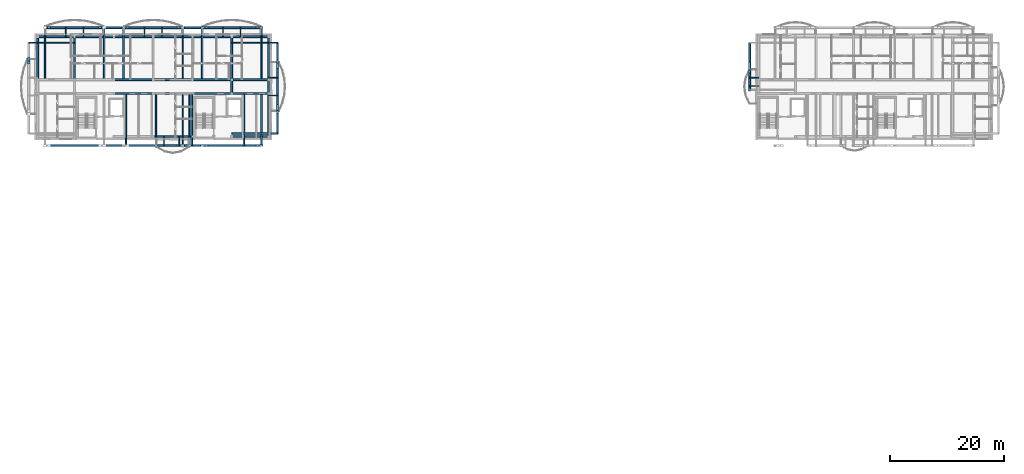
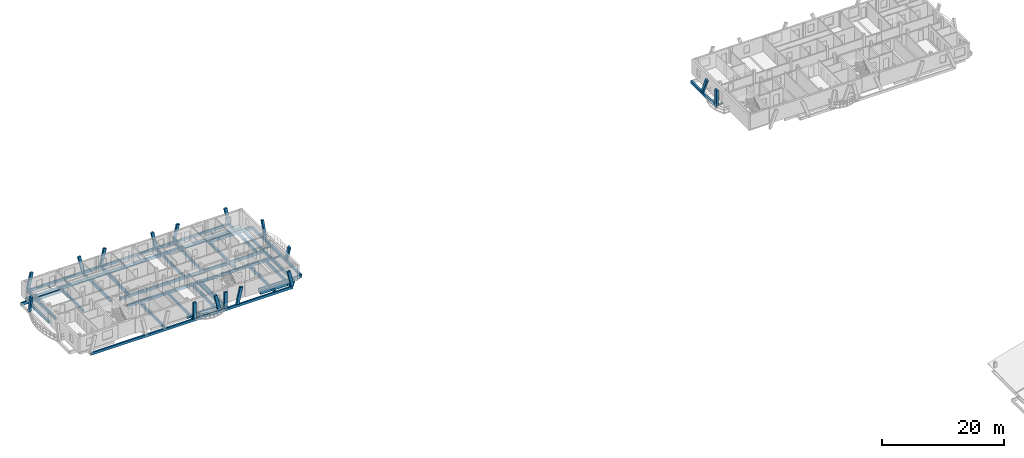
# One storey, part 5 of 33: 55 beams, 16 members.
"""IFC4 building model written with IfcOpenShell, lengths in metres."""

from ifc_helpers import new_model, si_unit, direction, frame, origin, origin_2d, place, context, subcontext, project, spatial, rectangle, i_section, extrude, material, material_profile, profile_set, type_object, element, save


model = new_model("IFC4")

# Units and contexts
model_context = context("Model", 3, precision=1e-05, world=origin(), true_north=direction((0.0, 1.0)))
body_context = subcontext(model_context, "Body", "Model", "MODEL_VIEW")
ifc_project = project(units=[si_unit("LENGTHUNIT", "METRE"), si_unit("AREAUNIT", "SQUARE_METRE"), si_unit("VOLUMEUNIT", "CUBIC_METRE"), si_unit("PLANEANGLEUNIT", "RADIAN"), si_unit("MASSUNIT", "GRAM", prefix="KILO")], contexts=[model_context])

# Site, building, storey
site_placement = place(None, origin())
site = spatial("IfcSite", under=ifc_project, at=site_placement, CompositionType="ELEMENT")
building_placement = place(site_placement, origin())
building = spatial("IfcBuilding", under=site, at=building_placement, Name="Zavelmont Quarter", CompositionType="ELEMENT")
storey_placement = place(building_placement, frame((0.0, 0.0, 30.39990234375)))
storey = spatial("IfcBuildingStorey", under=building, at=storey_placement, Name="L09", CompositionType="ELEMENT", Elevation=30.39990234375)

# Beams
ifc_material_1 = material(Name="Concrete C35/45", Category="concrete")
ifc_material_profile_1 = material_profile(ifc_material_1, rectangle(XDim=0.35009765625, YDim=0.60009765625, at=origin_2d()), Name="RC350X600")
ifc_profile_set_1 = profile_set([ifc_material_profile_1], Name="Concrete C35/45")
beam_type_1 = type_object("IfcBeamType", Name="BM01", PredefinedType="SPANDREL", material=ifc_profile_set_1)
beam_1_placement = place(storey_placement, frame((20.699951171875, 98.0400390625, -0.539794921875), z_axis=(1.0, 0.0, 0.0), x_axis=(0.0, 1.0, 0.0)))
element("IfcBeam", 1, at=beam_1_placement, inside=storey, type_object=beam_type_1, Name="L09 beam BM01 4/P to 5/P", PredefinedType="SPANDREL", context=body_context, shape_type="SweptSolid", body=[
    extrude(rectangle(XDim=0.35009765625, YDim=0.60009765625, at=origin_2d()), origin(), (0.0, 0.0, 1.0), 6.900146484375),
])
for number, where, z_axis, x_axis, name in (
    (2, (34.5, 98.0400390625, -0.539794921875), (1.0, 0.0, 0.0), (0.0, 1.0, 0.0), "L09 beam BM01 6/P to 7/P"),
    (3, (0.43994140625, 115.56005859375, -0.539794921875), (1.0, 0.0, 0.0), (0.0, 1.0, 0.0), "L09 beam BM01 1/S to 2/S"),
):
    element("IfcBeam", number, at=place(storey_placement, frame(where, z_axis=z_axis, x_axis=x_axis)), inside=storey, type_object=beam_type_1, Name=name, PredefinedType="SPANDREL", context=body_context, shape_type="SweptSolid", body=[
        extrude(rectangle(XDim=0.35009765625, YDim=0.60009765625, at=origin_2d()), origin(), (0.0, 0.0, 1.0), 6.4599609375),
    ])
beam_2_placement = place(storey_placement, frame((6.89990234375, 115.56005859375, -0.539794921875), z_axis=(1.0, 0.0, 0.0), x_axis=(0.0, 1.0, 0.0)))
element("IfcBeam", 4, at=beam_2_placement, inside=storey, type_object=beam_type_1, Name="L09 beam BM01 2/S to 3/S", PredefinedType="SPANDREL", context=body_context, shape_type="SweptSolid", body=[
    extrude(rectangle(XDim=0.35009765625, YDim=0.60009765625, at=origin_2d()), origin(), (0.0, 0.0, 1.0), 6.900146484375),
])
beam_3_placement = place(storey_placement, frame((13.800048828125, 115.56005859375, -0.539794921875), z_axis=(1.0, 0.0, 0.0), x_axis=(0.0, 1.0, 0.0)))
element("IfcBeam", 5, at=beam_3_placement, inside=storey, type_object=beam_type_1, Name="L09 beam BM01 3/S to 4/S", PredefinedType="SPANDREL", context=body_context, shape_type="SweptSolid", body=[
    extrude(rectangle(XDim=0.35009765625, YDim=0.60009765625, at=origin_2d()), origin(), (0.0, 0.0, 1.0), 6.89990234375),
])
beam_4_placement = place(storey_placement, frame((20.699951171875, 115.56005859375, -0.539794921875), z_axis=(1.0, 0.0, 0.0), x_axis=(0.0, 1.0, 0.0)))
element("IfcBeam", 6, at=beam_4_placement, inside=storey, type_object=beam_type_1, Name="L09 beam BM01 4/S to 5/S", PredefinedType="SPANDREL", context=body_context, shape_type="SweptSolid", body=[
    extrude(rectangle(XDim=0.35009765625, YDim=0.60009765625, at=origin_2d()), origin(), (0.0, 0.0, 1.0), 6.900146484375),
])
beam_5_placement = place(storey_placement, frame((27.60009765625, 115.56005859375, -0.539794921875), z_axis=(1.0, 0.0, 0.0), x_axis=(0.0, 1.0, 0.0)))
element("IfcBeam", 7, at=beam_5_placement, inside=storey, type_object=beam_type_1, Name="L09 beam BM01 5/S to 6/S", PredefinedType="SPANDREL", context=body_context, shape_type="SweptSolid", body=[
    extrude(rectangle(XDim=0.35009765625, YDim=0.60009765625, at=origin_2d()), origin(), (0.0, 0.0, 1.0), 6.89990234375),
])
beam_6_placement = place(storey_placement, frame((34.5, 115.56005859375, -0.539794921875), z_axis=(1.0, 0.0, 0.0), x_axis=(0.0, 1.0, 0.0)))
element("IfcBeam", 8, at=beam_6_placement, inside=storey, type_object=beam_type_1, Name="L09 beam BM01 6/S to 7/S", PredefinedType="SPANDREL", context=body_context, shape_type="SweptSolid", body=[
    extrude(rectangle(XDim=0.35009765625, YDim=0.60009765625, at=origin_2d()), origin(), (0.0, 0.0, 1.0), 6.4599609375),
])
ifc_material_profile_2 = material_profile(ifc_material_1, rectangle(XDim=0.300048828125, YDim=0.550048828125, at=origin_2d()), Name="RC300X550")
ifc_profile_set_2 = profile_set([ifc_material_profile_2], Name="Concrete C35/45")
beam_type_2 = type_object("IfcBeamType", Name="BM02", PredefinedType="SPANDREL", material=ifc_profile_set_2)
beam_7_placement = place(storey_placement, frame((13.800048828125, 105.60009765625, -0.514892578125), z_axis=(1.0, 0.0, 0.0), x_axis=(0.0, 1.0, 0.0)))
element("IfcBeam", 9, at=beam_7_placement, inside=storey, type_object=beam_type_2, Name="L09 beam BM02 3/Q to 4/Q", PredefinedType="SPANDREL", context=body_context, shape_type="SweptSolid", body=[
    extrude(rectangle(XDim=0.300048828125, YDim=0.550048828125, at=origin_2d()), origin(), (0.0, 0.0, 1.0), 6.89990234375),
])
beam_8_placement = place(storey_placement, frame((20.699951171875, 105.60009765625, -0.514892578125), z_axis=(1.0, 0.0, 0.0), x_axis=(0.0, 1.0, 0.0)))
element("IfcBeam", 10, at=beam_8_placement, inside=storey, type_object=beam_type_2, Name="L09 beam BM02 4/Q to 5/Q", PredefinedType="SPANDREL", context=body_context, shape_type="SweptSolid", body=[
    extrude(rectangle(XDim=0.300048828125, YDim=0.550048828125, at=origin_2d()), origin(), (0.0, 0.0, 1.0), 6.900146484375),
])
beam_9_placement = place(storey_placement, frame((27.60009765625, 105.60009765625, -0.514892578125), z_axis=(1.0, 0.0, 0.0), x_axis=(0.0, 1.0, 0.0)))
element("IfcBeam", 11, at=beam_9_placement, inside=storey, type_object=beam_type_2, Name="L09 beam BM02 5/Q to 6/Q", PredefinedType="SPANDREL", context=body_context, shape_type="SweptSolid", body=[
    extrude(rectangle(XDim=0.300048828125, YDim=0.550048828125, at=origin_2d()), origin(), (0.0, 0.0, 1.0), 6.89990234375),
])
beam_10_placement = place(storey_placement, frame((34.5, 105.60009765625, -0.514892578125), z_axis=(1.0, 0.0, 0.0), x_axis=(0.0, 1.0, 0.0)))
element("IfcBeam", 12, at=beam_10_placement, inside=storey, type_object=beam_type_2, Name="L09 beam BM02 6/Q to 7/Q", PredefinedType="SPANDREL", context=body_context, shape_type="SweptSolid", body=[
    extrude(rectangle(XDim=0.300048828125, YDim=0.550048828125, at=origin_2d()), origin(), (0.0, 0.0, 1.0), 6.4599609375),
])
beam_11_placement = place(storey_placement, frame((13.800048828125, 108.0, -0.514892578125), z_axis=(1.0, 0.0, 0.0), x_axis=(0.0, 1.0, 0.0)))
element("IfcBeam", 13, at=beam_11_placement, inside=storey, type_object=beam_type_2, Name="L09 beam BM02 3/R to 4/R", PredefinedType="SPANDREL", context=body_context, shape_type="SweptSolid", body=[
    extrude(rectangle(XDim=0.300048828125, YDim=0.550048828125, at=origin_2d()), origin(), (0.0, 0.0, 1.0), 6.89990234375),
])
beam_12_placement = place(storey_placement, frame((20.699951171875, 108.0, -0.514892578125), z_axis=(1.0, 0.0, 0.0), x_axis=(0.0, 1.0, 0.0)))
element("IfcBeam", 14, at=beam_12_placement, inside=storey, type_object=beam_type_2, Name="L09 beam BM02 4/R to 5/R", PredefinedType="SPANDREL", context=body_context, shape_type="SweptSolid", body=[
    extrude(rectangle(XDim=0.300048828125, YDim=0.550048828125, at=origin_2d()), origin(), (0.0, 0.0, 1.0), 6.900146484375),
])
beam_13_placement = place(storey_placement, frame((27.60009765625, 108.0, -0.514892578125), z_axis=(1.0, 0.0, 0.0), x_axis=(0.0, 1.0, 0.0)))
element("IfcBeam", 15, at=beam_13_placement, inside=storey, type_object=beam_type_2, Name="L09 beam BM02 5/R to 6/R", PredefinedType="SPANDREL", context=body_context, shape_type="SweptSolid", body=[
    extrude(rectangle(XDim=0.300048828125, YDim=0.550048828125, at=origin_2d()), origin(), (0.0, 0.0, 1.0), 6.89990234375),
])
beam_14_placement = place(storey_placement, frame((34.5, 108.0, -0.514892578125), z_axis=(1.0, 0.0, 0.0), x_axis=(0.0, 1.0, 0.0)))
element("IfcBeam", 16, at=beam_14_placement, inside=storey, type_object=beam_type_2, Name="L09 beam BM02 6/R to 7/R", PredefinedType="SPANDREL", context=body_context, shape_type="SweptSolid", body=[
    extrude(rectangle(XDim=0.300048828125, YDim=0.550048828125, at=origin_2d()), origin(), (0.0, 0.0, 1.0), 6.4599609375),
])
for number, where, z_axis, x_axis, name in (
    (17, (0.43994140625, 108.0, -0.514892578125), (0.0, 1.0, 0.0), (-1.0, 0.0, 0.0), "L09 beam BM02 1/R to 1/S"),
    (18, (6.89990234375, 108.0, -0.514892578125), (0.0, 1.0, 0.0), (-1.0, 0.0, 0.0), "L09 beam BM02 2/R to 2/S"),
):
    element("IfcBeam", number, at=place(storey_placement, frame(where, z_axis=z_axis, x_axis=x_axis)), inside=storey, type_object=beam_type_2, Name=name, PredefinedType="SPANDREL", context=body_context, shape_type="SweptSolid", body=[
        extrude(rectangle(XDim=0.300048828125, YDim=0.550048828125, at=origin_2d()), origin(), (0.0, 0.0, 1.0), 7.56005859375),
    ])
beam_15_placement = place(storey_placement, frame((34.5, 105.60009765625, -0.514892578125), z_axis=(0.0, 1.0, 0.0), x_axis=(-1.0, 0.0, 0.0)))
element("IfcBeam", 19, at=beam_15_placement, inside=storey, type_object=beam_type_2, Name="L09 beam BM02 6/Q to 6/R", PredefinedType="SPANDREL", context=body_context, shape_type="SweptSolid", body=[
    extrude(rectangle(XDim=0.300048828125, YDim=0.550048828125, at=origin_2d()), origin(), (0.0, 0.0, 1.0), 2.39990234375),
])
for number, where, z_axis, x_axis, name in (
    (20, (34.5, 108.0, -0.514892578125), (0.0, 1.0, 0.0), (-1.0, 0.0, 0.0), "L09 beam BM02 6/R to 6/S"),
    (21, (40.9599609375, 98.0400390625, -0.514892578125), (0.0, 1.0, 0.0), (-1.0, 0.0, 0.0), "L09 beam BM02 7/P to 7/Q"),
):
    element("IfcBeam", number, at=place(storey_placement, frame(where, z_axis=z_axis, x_axis=x_axis)), inside=storey, type_object=beam_type_2, Name=name, PredefinedType="SPANDREL", context=body_context, shape_type="SweptSolid", body=[
        extrude(rectangle(XDim=0.300048828125, YDim=0.550048828125, at=origin_2d()), origin(), (0.0, 0.0, 1.0), 7.56005859375),
    ])
beam_16_placement = place(storey_placement, frame((40.9599609375, 105.60009765625, -0.514892578125), z_axis=(0.0, 1.0, 0.0), x_axis=(-1.0, 0.0, 0.0)))
element("IfcBeam", 22, at=beam_16_placement, inside=storey, type_object=beam_type_2, Name="L09 beam BM02 7/Q to 7/R", PredefinedType="SPANDREL", context=body_context, shape_type="SweptSolid", body=[
    extrude(rectangle(XDim=0.300048828125, YDim=0.550048828125, at=origin_2d()), origin(), (0.0, 0.0, 1.0), 2.39990234375),
])
beam_17_placement = place(storey_placement, frame((40.9599609375, 108.0, -0.514892578125), z_axis=(0.0, 1.0, 0.0), x_axis=(-1.0, 0.0, 0.0)))
element("IfcBeam", 23, at=beam_17_placement, inside=storey, type_object=beam_type_2, Name="L09 beam BM02 7/R to 7/S", PredefinedType="SPANDREL", context=body_context, shape_type="SweptSolid", body=[
    extrude(rectangle(XDim=0.300048828125, YDim=0.550048828125, at=origin_2d()), origin(), (0.0, 0.0, 1.0), 7.56005859375),
])
ifc_material_profile_3 = material_profile(ifc_material_1, rectangle(XDim=0.300048828125, YDim=0.5, at=origin_2d()), Name="RC300X500")
ifc_profile_set_3 = profile_set([ifc_material_profile_3], Name="Concrete C35/45")
beam_type_3 = type_object("IfcBeamType", Name="BM03", PredefinedType="BEAM", material=ifc_profile_set_3)
for number, where, z_axis, x_axis, name in (
    (24, (1.7041015625, 117.14990234375, -0.25), (1.0, 0.0, 0.0), (0.0, 1.0, 0.0), "L09 beam BM03 1/S to 7/S"),
    (25, (1.7041015625, 96.449951171875, -0.25), (1.0, 0.0, 0.0), (0.0, 1.0, 0.0), "L09 beam BM03 1/P to 7/P"),
):
    element("IfcBeam", number, at=place(storey_placement, frame(where, z_axis=z_axis, x_axis=x_axis)), inside=storey, type_object=beam_type_3, Name=name, PredefinedType="BEAM", context=body_context, shape_type="SweptSolid", body=[
        extrude(rectangle(XDim=0.300048828125, YDim=0.5, at=origin_2d()), origin(), (0.0, 0.0, 1.0), 37.991943359375),
    ])
beam_18_placement = place(storey_placement, frame((42.550048828125, 98.550048828125, -0.25), z_axis=(0.0, 1.0, 0.0), x_axis=(-1.0, 0.0, 0.0)))
element("IfcBeam", 26, at=beam_18_placement, inside=storey, type_object=beam_type_3, Name="L09 beam BM03 7/P to 7/S", PredefinedType="BEAM", context=body_context, shape_type="SweptSolid", body=[
    extrude(rectangle(XDim=0.300048828125, YDim=0.5, at=origin_2d()), origin(), (0.0, 0.0, 1.0), 15.949951171875),
])
beam_19_placement = place(storey_placement, frame((125.449951171875, 106.25, -0.25), z_axis=(0.0, 1.0, 0.0), x_axis=(-1.0, 0.0, 0.0)))
element("IfcBeam", 27, at=beam_19_placement, inside=storey, type_object=beam_type_3, Name="L09 beam BM03 19/Q to 19/S", PredefinedType="BEAM", context=body_context, shape_type="SweptSolid", body=[
    extrude(rectangle(XDim=0.300048828125, YDim=0.5, at=origin_2d()), origin(), (0.0, 0.0, 1.0), 8.25),
])
ifc_material_2 = material(Name="Steel S355", Category="steel")
ifc_material_profile_4 = material_profile(ifc_material_2, i_section(OverallWidth=0.110107421875, OverallDepth=0.219970703125, WebThickness=0.005859375, FlangeThickness=0.00927734375, at=origin_2d()), Name="IPE 220")
ifc_profile_set_4 = profile_set([ifc_material_profile_4], Name="Steel S355")
beam_type_4 = type_object("IfcBeamType", Name="BM15", PredefinedType="JOIST", material=ifc_profile_set_4)
for number, where, z_axis, x_axis, name in (
    (28, (5.35009765625, 115.56005859375, -0.35693359375), (0.0, 1.0, 0.0), (-1.0, 0.0, 0.0), "L09 beam BM15 2/S to 2/S"),
    (29, (8.449951171875, 115.56005859375, -0.35693359375), (0.0, 1.0, 0.0), (-1.0, 0.0, 0.0), "L09 beam BM15 2/S to 2/S"),
    (30, (19.14990234375, 115.56005859375, -0.351806640625), (0.0, 1.0, 0.0), (-1.0, 0.0, 0.0), "L09 beam BM15 4/S to 4/S"),
    (31, (22.25, 115.56005859375, -0.351806640625), (0.0, 1.0, 0.0), (-1.0, 0.0, 0.0), "L09 beam BM15 4/S to 4/S"),
    (32, (32.949951171875, 115.56005859375, -0.366943359375), (0.0, 1.0, 0.0), (-1.0, 0.0, 0.0), "L09 beam BM15 6/S to 6/S"),
    (33, (36.050048828125, 115.56005859375, -0.366943359375), (0.0, 1.0, 0.0), (-1.0, 0.0, 0.0), "L09 beam BM15 6/S to 6/S"),
):
    element("IfcBeam", number, at=place(storey_placement, frame(where, z_axis=z_axis, x_axis=x_axis)), inside=storey, type_object=beam_type_4, Name=name, PredefinedType="JOIST", context=body_context, shape_type="SweptSolid", body=[
        extrude(i_section(OverallWidth=0.110107421875, OverallDepth=0.219970703125, WebThickness=0.005859375, FlangeThickness=0.00927734375, at=origin_2d()), origin(), (0.0, 0.0, 1.0), 1.58984375),
    ])
for number, where, z_axis, x_axis, name in (
    (34, (40.9599609375, 105.25, -0.366943359375), (1.0, 0.0, 0.0), (0.0, 1.0, 0.0), "L09 beam BM15 7/Q to 7/Q"),
    (35, (40.9599609375, 108.35009765625, -0.366943359375), (1.0, 0.0, 0.0), (0.0, 1.0, 0.0), "L09 beam BM15 7/R to 7/R"),
    (36, (22.60009765625, 98.0400390625, -0.35693359375), (0.0, -1.0, 0.0), (1.0, 0.0, 0.0), "L09 beam BM15 4/P to 4/P"),
    (37, (25.280029296875, 98.0400390625, -0.35693359375), (0.0, -1.0, 0.0), (1.0, 0.0, 0.0), "L09 beam BM15 5/P to 5/P"),
    (38, (127.0400390625, 106.89990234375, -0.366943359375), (-1.0, 0.0, 0.0), (0.0, -1.0, 0.0), "L09 beam BM15 19/R to 19/R"),
    (39, (127.0400390625, 108.35009765625, -0.366943359375), (-1.0, 0.0, 0.0), (0.0, -1.0, 0.0), "L09 beam BM15 19/R to 19/R"),
):
    element("IfcBeam", number, at=place(storey_placement, frame(where, z_axis=z_axis, x_axis=x_axis)), inside=storey, type_object=beam_type_4, Name=name, PredefinedType="JOIST", context=body_context, shape_type="SweptSolid", body=[
        extrude(i_section(OverallWidth=0.110107421875, OverallDepth=0.219970703125, WebThickness=0.005859375, FlangeThickness=0.00927734375, at=origin_2d()), origin(), (0.0, 0.0, 1.0), 1.590087890625),
    ])
ifc_material_3 = material(Name="Concrete C40/50", Category="concrete")
ifc_material_profile_5 = material_profile(ifc_material_3, rectangle(XDim=0.25, YDim=0.60009765625, at=origin_2d()), Name="RC250X600")
ifc_profile_set_5 = profile_set([ifc_material_profile_5], Name="Concrete C40/50")
beam_type_5 = type_object("IfcBeamType", Name="BM18", PredefinedType="BEAM", material=ifc_profile_set_5)
for number, where, z_axis, x_axis, name in (
    (40, (1.703857421875, 108.0, -0.2998046875), (0.0, 1.0, 0.0), (-1.0, 0.0, 0.0), "L09 beam BM18 1/R to 1/S"),
    (41, (12.09619140625, 108.0, -0.2998046875), (0.0, 1.0, 0.0), (-1.0, 0.0, 0.0), "L09 beam BM18 3/R to 3/S"),
    (42, (15.50390625, 108.0, -0.2998046875), (0.0, 1.0, 0.0), (-1.0, 0.0, 0.0), "L09 beam BM18 3/R to 3/S"),
    (43, (25.896240234375, 108.0, -0.2998046875), (0.0, 1.0, 0.0), (-1.0, 0.0, 0.0), "L09 beam BM18 5/R to 5/S"),
    (44, (29.3037109375, 108.0, -0.2998046875), (0.0, 1.0, 0.0), (-1.0, 0.0, 0.0), "L09 beam BM18 5/R to 5/S"),
    (45, (39.6962890625, 108.0, -0.2998046875), (0.0, 1.0, 0.0), (-1.0, 0.0, 0.0), "L09 beam BM18 7/R to 7/S"),
):
    element("IfcBeam", number, at=place(storey_placement, frame(where, z_axis=z_axis, x_axis=x_axis)), inside=storey, type_object=beam_type_5, Name=name, PredefinedType="BEAM", context=body_context, shape_type="SweptSolid", body=[
        extrude(rectangle(XDim=0.25, YDim=0.60009765625, at=origin_2d()), origin(), (0.0, 0.0, 1.0), 9.14990234375),
    ])
for number, where, z_axis, x_axis, name in (
    (46, (15.925048828125, 105.60009765625, -0.2998046875), (0.0, -1.0, 0.0), (1.0, 0.0, 0.0), "L09 beam BM18 3/Q to 3/P"),
    (47, (25.896240234375, 105.60009765625, -0.2998046875), (0.0, -1.0, 0.0), (1.0, 0.0, 0.0), "L09 beam BM18 5/Q to 5/P"),
    (48, (27.5, 105.60009765625, -0.2998046875), (0.0, -1.0, 0.0), (1.0, 0.0, 0.0), "L09 beam BM18 5/Q to 5/P"),
    (49, (36.625, 105.60009765625, -0.2998046875), (0.0, -1.0, 0.0), (1.0, 0.0, 0.0), "L09 beam BM18 6/Q to 6/P"),
    (50, (39.6962890625, 105.60009765625, -0.2998046875), (0.0, -1.0, 0.0), (1.0, 0.0, 0.0), "L09 beam BM18 7/Q to 7/P"),
    (51, (21.199951171875, 105.60009765625, -0.2998046875), (0.0, -1.0, 0.0), (1.0, 0.0, 0.0), "L09 beam BM18 4/Q to 4/P"),
    (52, (27.10009765625, 105.60009765625, -0.2998046875), (0.0, -1.0, 0.0), (1.0, 0.0, 0.0), "L09 beam BM18 5/Q to 5/P"),
):
    element("IfcBeam", number, at=place(storey_placement, frame(where, z_axis=z_axis, x_axis=x_axis)), inside=storey, type_object=beam_type_5, Name=name, PredefinedType="BEAM", context=body_context, shape_type="SweptSolid", body=[
        extrude(rectangle(XDim=0.25, YDim=0.60009765625, at=origin_2d()), origin(), (0.0, 0.0, 1.0), 9.150146484375),
    ])
beam_20_placement = place(storey_placement, frame((6.89990234375, 114.5, -0.2998046875), z_axis=(-1.0, 0.0, 0.0), x_axis=(0.0, -1.0, 0.0)))
element("IfcBeam", 53, at=beam_20_placement, inside=storey, type_object=beam_type_5, Name="L09 beam BM18 2/S to 1/S", PredefinedType="BEAM", context=body_context, shape_type="SweptSolid", body=[
    extrude(rectangle(XDim=0.25, YDim=0.60009765625, at=origin_2d()), origin(), (0.0, 0.0, 1.0), 8.0498046875),
])
for number, where, z_axis, x_axis, name in (
    (54, (34.5, 98.550048828125, -0.2998046875), (1.0, 0.0, 0.0), (0.0, 1.0, 0.0), "L09 beam BM18 6/P to 7/P"),
    (55, (34.5, 114.5, -0.2998046875), (1.0, 0.0, 0.0), (0.0, 1.0, 0.0), "L09 beam BM18 6/S to 7/S"),
):
    element("IfcBeam", number, at=place(storey_placement, frame(where, z_axis=z_axis, x_axis=x_axis)), inside=storey, type_object=beam_type_5, Name=name, PredefinedType="BEAM", context=body_context, shape_type="SweptSolid", body=[
        extrude(rectangle(XDim=0.25, YDim=0.60009765625, at=origin_2d()), origin(), (0.0, 0.0, 1.0), 8.050048828125),
    ])

# Members
ifc_material_4 = material(Name="White architectural precast concrete C40/50", Category="concrete")
ifc_material_profile_6 = material_profile(ifc_material_4, rectangle(XDim=0.360107421875, YDim=0.5400390625, at=origin_2d()), Name="PCR280X420")
ifc_profile_set_6 = profile_set([ifc_material_profile_6], Name="White architectural precast concrete C40/50")
member_type = type_object("IfcMemberType", Name="VR02M", PredefinedType="CHORD", material=ifc_profile_set_6)
for number, where, z_axis, x_axis, name in (
    (56, (1.703857421875, 117.14990234375, 0.0), (0.219986759807, 0.0, 0.975502857766), (0.0, 1.0, 0.0), "L09 member VR02M 1/S to 1/S"),
    (57, (12.09619140625, 117.14990234375, 0.0), (-0.219986759807, 0.0, 0.975502857766), (0.0, -1.0, 0.0), "L09 member VR02M 3/S to 3/S"),
    (58, (15.50390625, 117.14990234375, 0.0), (0.219986759807, 0.0, 0.975502857766), (0.0, 1.0, 0.0), "L09 member VR02M 3/S to 3/S"),
    (59, (25.896240234375, 117.14990234375, 0.0), (-0.219986759807, 0.0, 0.975502857766), (0.0, -1.0, 0.0), "L09 member VR02M 5/S to 5/S"),
    (60, (29.3037109375, 117.14990234375, 0.0), (0.219986759807, 0.0, 0.975502857766), (0.0, 1.0, 0.0), "L09 member VR02M 5/S to 5/S"),
    (61, (39.6962890625, 117.14990234375, 0.0), (-0.219986759807, 0.0, 0.975502857766), (0.0, -1.0, 0.0), "L09 member VR02M 7/S to 7/S"),
    (62, (25.896240234375, 96.449951171875, 0.0), (-0.219986759807, 0.0, 0.975502857766), (0.0, -1.0, 0.0), "L09 member VR02M 5/P to 5/P"),
    (63, (29.3037109375, 96.449951171875, 0.0), (0.219986759807, 0.0, 0.975502857766), (0.0, 1.0, 0.0), "L09 member VR02M 5/P to 5/P"),
    (64, (39.6962890625, 96.449951171875, 0.0), (-0.219986759807, 0.0, 0.975502857766), (0.0, -1.0, 0.0), "L09 member VR02M 7/P to 7/P"),
):
    element("IfcMember", number, at=place(storey_placement, frame(where, z_axis=z_axis, x_axis=x_axis)), inside=storey, type_object=member_type, Name=name, PredefinedType="CHORD", context=body_context, shape_type="SweptSolid", body=[
        extrude(rectangle(XDim=0.360107421875, YDim=0.5400390625, at=origin_2d()), origin(), (0.0, 0.0, 1.0), 3.280517578125),
    ])
for number, where, z_axis, x_axis, name in (
    (65, (21.199951171875, 96.449951171875, 0.0), (0.006103029456, 0.0, 0.999981376342), (0.0, 1.0, 0.0), "L09 member VR02M 4/P to 4/P"),
    (66, (27.10009765625, 96.449951171875, 0.0), (-0.006179314429, 0.0, 0.999980907854), (0.0, -1.0, 0.0), "L09 member VR02M 5/P to 5/P"),
):
    element("IfcMember", number, at=place(storey_placement, frame(where, z_axis=z_axis, x_axis=x_axis)), inside=storey, type_object=member_type, Name=name, PredefinedType="CHORD", context=body_context, shape_type="SweptSolid", body=[
        extrude(rectangle(XDim=0.360107421875, YDim=0.5400390625, at=origin_2d()), origin(), (0.0, 0.0, 1.0), 3.2001953125),
    ])
member_1_placement = place(storey_placement, frame((-1.14990234375, 111.7041015625, 0.0), z_axis=(0.0, -0.200454931619, 0.979702924559), x_axis=(1.0, 0.0, 0.0)))
element("IfcMember", 67, at=member_1_placement, inside=storey, type_object=member_type, Name="L09 member VR02M 1/R to 1/R", PredefinedType="CHORD", context=body_context, shape_type="SweptSolid", body=[
    extrude(rectangle(XDim=0.360107421875, YDim=0.5400390625, at=origin_2d()), origin(), (0.0, 0.0, 1.0), 3.2666015625),
])
for number, where, z_axis, x_axis, name in (
    (68, (42.550048828125, 103.402587890625, 0.0), (0.0, -0.309801093596, 0.950801389569), (1.0, 0.0, 0.0), "L09 member VR02M 7/Q to 7/Q"),
    (69, (42.550048828125, 110.197265625, 0.0), (0.0, 0.309801093596, 0.950801389569), (-1.0, 0.0, 0.0), "L09 member VR02M 7/R to 7/R"),
):
    element("IfcMember", number, at=place(storey_placement, frame(where, z_axis=z_axis, x_axis=x_axis)), inside=storey, type_object=member_type, Name=name, PredefinedType="CHORD", context=body_context, shape_type="SweptSolid", body=[
        extrude(rectangle(XDim=0.360107421875, YDim=0.5400390625, at=origin_2d()), origin(), (0.0, 0.0, 1.0), 3.36572265625),
    ])
member_2_placement = place(storey_placement, frame((125.449951171875, 106.300048828125, 0.0), z_axis=(0.0, 0.0, 1.0), x_axis=(1.0, 0.0, 0.0)))
element("IfcMember", 70, at=member_2_placement, inside=storey, type_object=member_type, Name="L09 member VR02M 19/Q to 19/Q", PredefinedType="CHORD", context=body_context, shape_type="SweptSolid", body=[
    extrude(rectangle(XDim=0.360107421875, YDim=0.5400390625, at=origin_2d()), origin(), (0.0, 0.0, 1.0), 3.2001953125),
])
member_3_placement = place(storey_placement, frame((125.449951171875, 110.853759765625, 0.0), z_axis=(0.0, -0.404811179564, 0.914400300142), x_axis=(1.0, 0.0, 0.0)))
element("IfcMember", 71, at=member_3_placement, inside=storey, type_object=member_type, Name="L09 member VR02M 19/R to 19/R", PredefinedType="CHORD", context=body_context, shape_type="SweptSolid", body=[
    extrude(rectangle(XDim=0.360107421875, YDim=0.5400390625, at=origin_2d()), origin(), (0.0, 0.0, 1.0), 3.499755859375),
])

save(model, "model.ifc")
